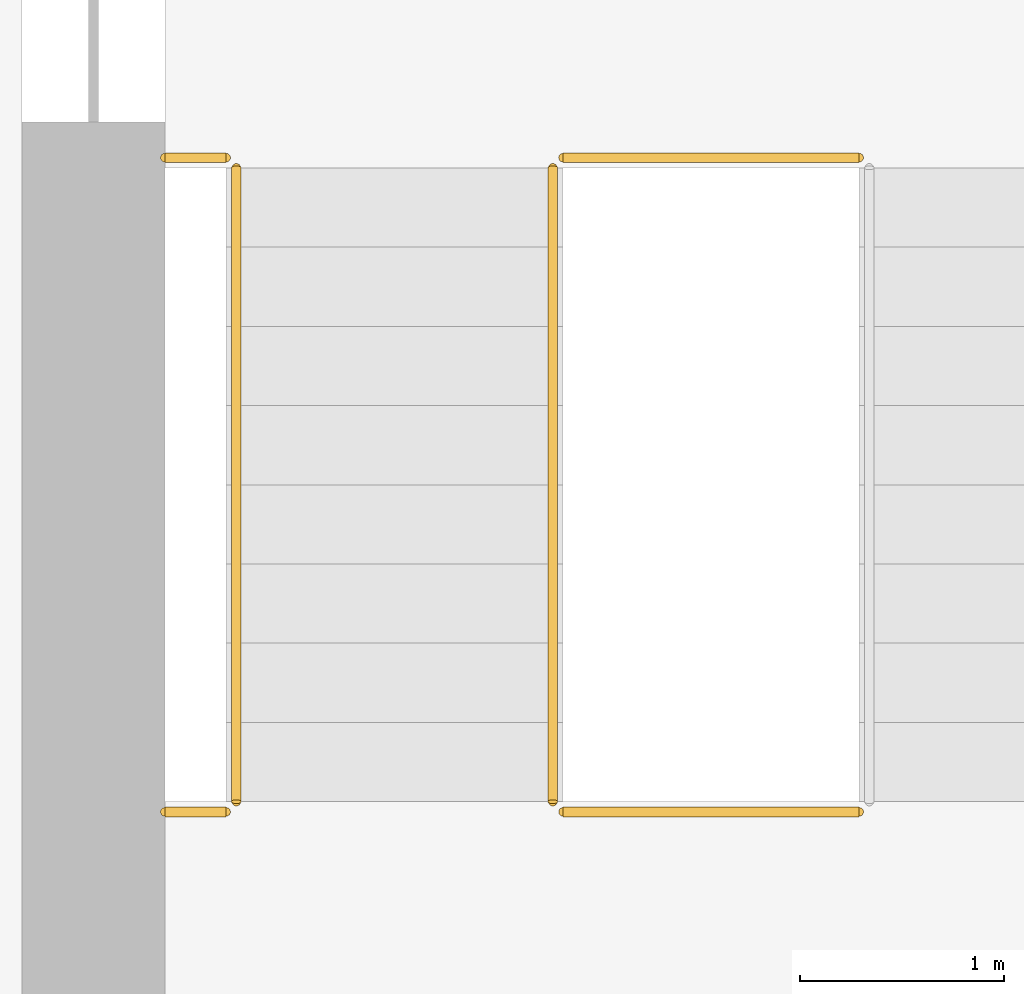
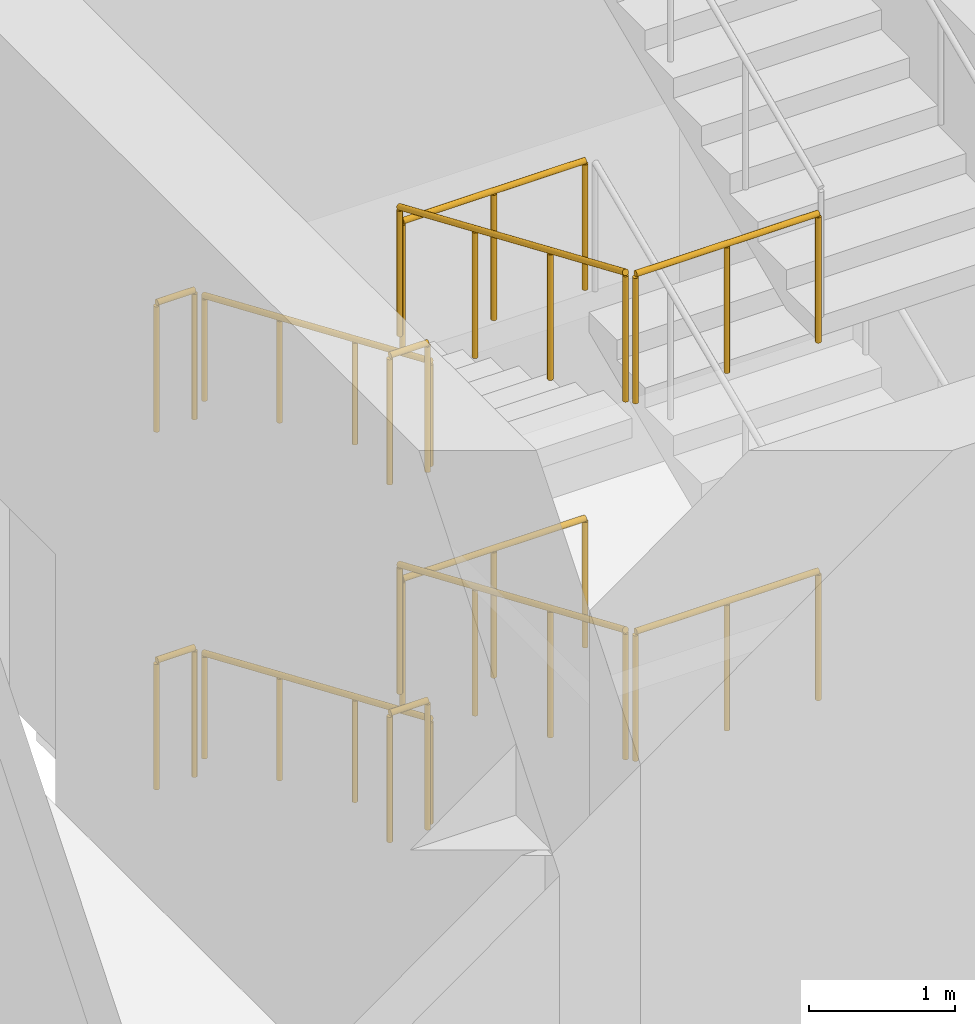
# One storey, part 18 of 25: 12 railings.
"""IFC4 building model written with IfcOpenShell, lengths in metres."""

from ifc_helpers import new_model, si_unit, direction, frame, origin, origin_2d, place, context, subcontext, project, spatial, circle, extrude, material, type_object, element, save


model = new_model("IFC4")

# Units and contexts
model_context = context("Model", 3, precision=1e-05, world=origin(), true_north=direction((0.0, 1.0)))
body_context = subcontext(model_context, "Body", "Model", "MODEL_VIEW")
ifc_project = project(units=[si_unit("LENGTHUNIT", "METRE"), si_unit("AREAUNIT", "SQUARE_METRE"), si_unit("VOLUMEUNIT", "CUBIC_METRE"), si_unit("PLANEANGLEUNIT", "RADIAN"), si_unit("MASSUNIT", "GRAM", prefix="KILO")], contexts=[model_context])

# Site, building, storey
site_placement = place(None, origin())
site = spatial("IfcSite", under=ifc_project, at=site_placement, CompositionType="ELEMENT")
building_placement = place(site_placement, origin())
building = spatial("IfcBuilding", under=site, at=building_placement, Name="Corbel Stack Research Tower", CompositionType="ELEMENT")
storey_placement = place(building_placement, frame((0.0, 0.0, 260.300048828125)))
storey = spatial("IfcBuildingStorey", under=building, at=storey_placement, Name="L59", CompositionType="ELEMENT", Elevation=260.300048828125)

# Railings
ifc_material_1 = material(Name="Steel S355", Category="steel")
railing_type_1 = type_object("IfcRailingType", Name="Stair guard 1100", PredefinedType="GUARDRAIL", material=ifc_material_1)
railing_1_placement = place(storey_placement, frame((-7.89990234375, -2.39990234375, 0.16650390625)))
element("IfcRailing", 1, at=railing_1_placement, inside=storey, type_object=railing_type_1, Name="L59 ST-W1 stair guard 1", PredefinedType="GUARDRAIL", context=body_context, shape_type="SweptSolid", body=[
    extrude(circle(Radius=0.02392578125, at=origin_2d()), frame((0.0, 0.0, 1.076171875), z_axis=(0.0, -0.918800789217, 0.394721559753), x_axis=(1.0, 0.0, 0.0)), (0.0, 0.0, 1.0), 3.37841796875),
    extrude(circle(Radius=0.02099609375, at=origin_2d()), origin(), (0.0, 0.0, 1.0), 1.052001953125),
    extrude(circle(Radius=0.02099609375, at=origin_2d()), frame((0.0, -1.03466796875, 0.444580078125)), (0.0, 0.0, 1.0), 1.052001953125),
    extrude(circle(Radius=0.02099609375, at=origin_2d()), frame((0.0, -2.0693359375, 0.888916015625)), (0.0, 0.0, 1.0), 1.052001953125),
    extrude(circle(Radius=0.02099609375, at=origin_2d()), frame((0.0, -3.10400390625, 1.33349609375)), (0.0, 0.0, 1.0), 1.052001953125),
])
railing_2_placement = place(storey_placement, frame((-7.85009765625, -5.553955078125, 1.5)))
element("IfcRailing", 2, at=railing_2_placement, inside=storey, type_object=railing_type_1, Name="L59 ST-W1 stair guard 2", PredefinedType="GUARDRAIL", context=body_context, shape_type="SweptSolid", body=[
    extrude(circle(Radius=0.02392578125, at=origin_2d()), frame((0.0, 0.0, 1.076171875), z_axis=(1.0, 0.0, 0.0), x_axis=(0.0, 1.0, 0.0)), (0.0, 0.0, 1.0), 1.4501953125),
    extrude(circle(Radius=0.02099609375, at=origin_2d()), origin(), (0.0, 0.0, 1.0), 1.052001953125),
    extrude(circle(Radius=0.02099609375, at=origin_2d()), frame((0.72509765625, 0.0, 0.0)), (0.0, 0.0, 1.0), 1.052001953125),
    extrude(circle(Radius=0.02099609375, at=origin_2d()), frame((1.4501953125, 0.0, 0.0)), (0.0, 0.0, 1.0), 1.052001953125),
])
railing_3_placement = place(storey_placement, frame((-9.800048828125, -5.553955078125, 1.5)))
element("IfcRailing", 3, at=railing_3_placement, inside=storey, type_object=railing_type_1, Name="L59 ST-W1 stair guard 3", PredefinedType="GUARDRAIL", context=body_context, shape_type="SweptSolid", body=[
    extrude(circle(Radius=0.02392578125, at=origin_2d()), frame((0.0, 0.0, 1.076171875), z_axis=(1.0, 0.0, 0.0), x_axis=(0.0, 1.0, 0.0)), (0.0, 0.0, 1.0), 0.300048828125),
    extrude(circle(Radius=0.02099609375, at=origin_2d()), origin(), (0.0, 0.0, 1.0), 1.052001953125),
    extrude(circle(Radius=0.02099609375, at=origin_2d()), frame((0.300048828125, 0.0, 0.0)), (0.0, 0.0, 1.0), 1.052001953125),
])
railing_4_placement = place(storey_placement, frame((-7.85009765625, -2.35009765625, 3.0)))
element("IfcRailing", 4, at=railing_4_placement, inside=storey, type_object=railing_type_1, Name="L59 ST-W1 stair guard 5", PredefinedType="GUARDRAIL", context=body_context, shape_type="SweptSolid", body=[
    extrude(circle(Radius=0.02392578125, at=origin_2d()), frame((0.0, 0.0, 1.076171875), z_axis=(1.0, 0.0, 0.0), x_axis=(0.0, 1.0, 0.0)), (0.0, 0.0, 1.0), 1.4501953125),
    extrude(circle(Radius=0.02099609375, at=origin_2d()), origin(), (0.0, 0.0, 1.0), 1.052001953125),
    extrude(circle(Radius=0.02099609375, at=origin_2d()), frame((0.72509765625, 0.0, 0.0)), (0.0, 0.0, 1.0), 1.052001953125),
    extrude(circle(Radius=0.02099609375, at=origin_2d()), frame((1.4501953125, 0.0, 0.0)), (0.0, 0.0, 1.0), 1.052001953125),
])
railing_5_placement = place(storey_placement, frame((-9.800048828125, -2.35009765625, 3.0)))
element("IfcRailing", 5, at=railing_5_placement, inside=storey, type_object=railing_type_1, Name="L59 ST-W1 stair guard 6", PredefinedType="GUARDRAIL", context=body_context, shape_type="SweptSolid", body=[
    extrude(circle(Radius=0.02392578125, at=origin_2d()), frame((0.0, 0.0, 1.076171875), z_axis=(1.0, 0.0, 0.0), x_axis=(0.0, 1.0, 0.0)), (0.0, 0.0, 1.0), 0.300048828125),
    extrude(circle(Radius=0.02099609375, at=origin_2d()), origin(), (0.0, 0.0, 1.0), 1.052001953125),
    extrude(circle(Radius=0.02099609375, at=origin_2d()), frame((0.300048828125, 0.0, 0.0)), (0.0, 0.0, 1.0), 1.052001953125),
])
railing_6_placement = place(storey_placement, frame((-7.89990234375, -2.39990234375, 3.16650390625)))
element("IfcRailing", 6, at=railing_6_placement, inside=storey, type_object=railing_type_1, Name="L59 ST-W1 stair guard 7", PredefinedType="GUARDRAIL", context=body_context, shape_type="SweptSolid", body=[
    extrude(circle(Radius=0.02392578125, at=origin_2d()), frame((0.0, 0.0, 1.076171875), z_axis=(0.0, -0.918800789217, 0.394721559753), x_axis=(1.0, 0.0, 0.0)), (0.0, 0.0, 1.0), 3.37841796875),
    extrude(circle(Radius=0.02099609375, at=origin_2d()), origin(), (0.0, 0.0, 1.0), 1.052001953125),
    extrude(circle(Radius=0.02099609375, at=origin_2d()), frame((0.0, -1.03466796875, 0.444580078125)), (0.0, 0.0, 1.0), 1.052001953125),
    extrude(circle(Radius=0.02099609375, at=origin_2d()), frame((0.0, -2.0693359375, 0.888916015625)), (0.0, 0.0, 1.0), 1.052001953125),
    extrude(circle(Radius=0.02099609375, at=origin_2d()), frame((0.0, -3.10400390625, 1.33349609375)), (0.0, 0.0, 1.0), 1.052001953125),
])
railing_7_placement = place(storey_placement, frame((-7.85009765625, -5.553955078125, 4.5)))
element("IfcRailing", 7, at=railing_7_placement, inside=storey, type_object=railing_type_1, Name="L59 ST-W1 stair guard 8", PredefinedType="GUARDRAIL", context=body_context, shape_type="SweptSolid", body=[
    extrude(circle(Radius=0.02392578125, at=origin_2d()), frame((0.0, 0.0, 1.076171875), z_axis=(1.0, 0.0, 0.0), x_axis=(0.0, 1.0, 0.0)), (0.0, 0.0, 1.0), 1.4501953125),
    extrude(circle(Radius=0.02099609375, at=origin_2d()), origin(), (0.0, 0.0, 1.0), 1.052001953125),
    extrude(circle(Radius=0.02099609375, at=origin_2d()), frame((0.72509765625, 0.0, 0.0)), (0.0, 0.0, 1.0), 1.052001953125),
    extrude(circle(Radius=0.02099609375, at=origin_2d()), frame((1.4501953125, 0.0, 0.0)), (0.0, 0.0, 1.0), 1.052001953125),
])
railing_8_placement = place(storey_placement, frame((-9.800048828125, -5.553955078125, 4.5)))
element("IfcRailing", 8, at=railing_8_placement, inside=storey, type_object=railing_type_1, Name="L59 ST-W1 stair guard 9", PredefinedType="GUARDRAIL", context=body_context, shape_type="SweptSolid", body=[
    extrude(circle(Radius=0.02392578125, at=origin_2d()), frame((0.0, 0.0, 1.076171875), z_axis=(1.0, 0.0, 0.0), x_axis=(0.0, 1.0, 0.0)), (0.0, 0.0, 1.0), 0.300048828125),
    extrude(circle(Radius=0.02099609375, at=origin_2d()), origin(), (0.0, 0.0, 1.0), 1.052001953125),
    extrude(circle(Radius=0.02099609375, at=origin_2d()), frame((0.300048828125, 0.0, 0.0)), (0.0, 0.0, 1.0), 1.052001953125),
])
railing_9_placement = place(storey_placement, frame((-7.85009765625, -2.35009765625, 0.0)))
element("IfcRailing", 9, at=railing_9_placement, inside=storey, type_object=railing_type_1, Name="L59 ST-W1 stair guard 11", PredefinedType="GUARDRAIL", context=body_context, shape_type="SweptSolid", body=[
    extrude(circle(Radius=0.02392578125, at=origin_2d()), frame((0.0, 0.0, 1.076171875), z_axis=(1.0, 0.0, 0.0), x_axis=(0.0, 1.0, 0.0)), (0.0, 0.0, 1.0), 1.4501953125),
    extrude(circle(Radius=0.02099609375, at=origin_2d()), origin(), (0.0, 0.0, 1.0), 1.052001953125),
    extrude(circle(Radius=0.02099609375, at=origin_2d()), frame((0.72509765625, 0.0, 0.0)), (0.0, 0.0, 1.0), 1.052001953125),
    extrude(circle(Radius=0.02099609375, at=origin_2d()), frame((1.4501953125, 0.0, 0.0)), (0.0, 0.0, 1.0), 1.052001953125),
])
railing_10_placement = place(storey_placement, frame((-9.800048828125, -2.35009765625, 0.0)))
element("IfcRailing", 10, at=railing_10_placement, inside=storey, type_object=railing_type_1, Name="L59 ST-W1 stair guard 12", PredefinedType="GUARDRAIL", context=body_context, shape_type="SweptSolid", body=[
    extrude(circle(Radius=0.02392578125, at=origin_2d()), frame((0.0, 0.0, 1.076171875), z_axis=(1.0, 0.0, 0.0), x_axis=(0.0, 1.0, 0.0)), (0.0, 0.0, 1.0), 0.300048828125),
    extrude(circle(Radius=0.02099609375, at=origin_2d()), origin(), (0.0, 0.0, 1.0), 1.052001953125),
    extrude(circle(Radius=0.02099609375, at=origin_2d()), frame((0.300048828125, 0.0, 0.0)), (0.0, 0.0, 1.0), 1.052001953125),
])
ifc_material_2 = material(Name="Steel S355", Category="steel")
railing_type_2 = type_object("IfcRailingType", Name="Stair handrail 900", PredefinedType="HANDRAIL", material=ifc_material_2)
for number, where, name in (
    (11, (-9.449951171875, -2.39990234375, 0.16650390625), "L59 ST-W1 stair handrail 1"),
    (12, (-9.449951171875, -2.39990234375, 3.16650390625), "L59 ST-W1 stair handrail 3"),
):
    element("IfcRailing", number, at=place(storey_placement, frame(where)), inside=storey, type_object=railing_type_2, Name=name, PredefinedType="HANDRAIL", context=body_context, shape_type="SweptSolid", body=[
        extrude(circle(Radius=0.02392578125, at=origin_2d()), frame((0.0, 0.0, 0.8759765625), z_axis=(0.0, -0.918800789217, 0.394721559753), x_axis=(1.0, 0.0, 0.0)), (0.0, 0.0, 1.0), 3.37841796875),
        extrude(circle(Radius=0.02099609375, at=origin_2d()), origin(), (0.0, 0.0, 1.0), 0.851806640625),
        extrude(circle(Radius=0.02099609375, at=origin_2d()), frame((0.0, -1.03466796875, 0.444580078125)), (0.0, 0.0, 1.0), 0.851806640625),
        extrude(circle(Radius=0.02099609375, at=origin_2d()), frame((0.0, -2.0693359375, 0.888916015625)), (0.0, 0.0, 1.0), 0.851806640625),
        extrude(circle(Radius=0.02099609375, at=origin_2d()), frame((0.0, -3.10400390625, 1.33349609375)), (0.0, 0.0, 1.0), 0.851806640625),
    ])

save(model, "model.ifc")
